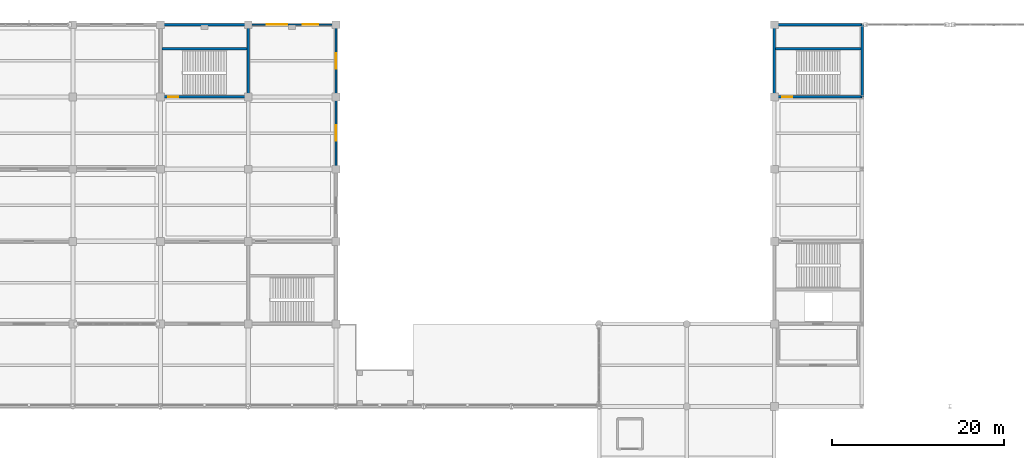
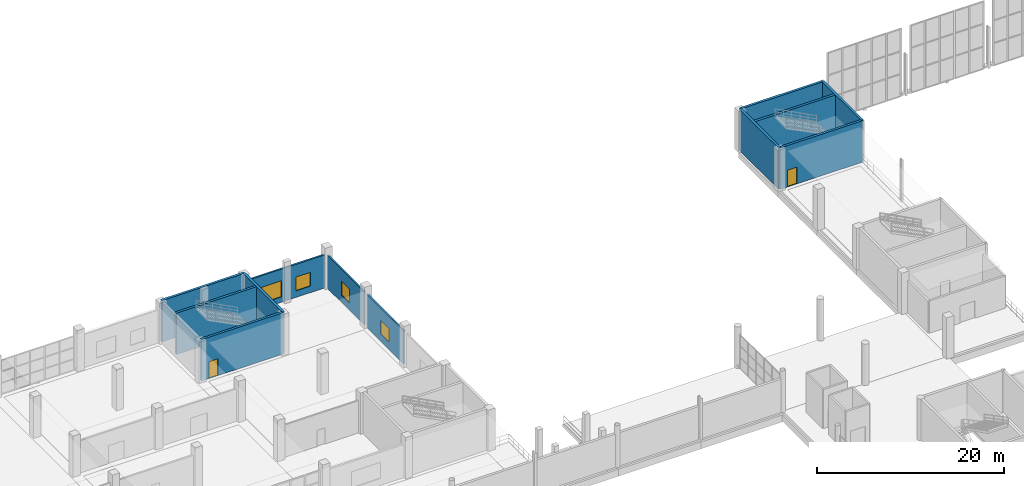
# One storey, part 138 of 175: 12 walls, 4 windows, 2 doors, 6 openings.
"""IFC4 building model written with IfcOpenShell, lengths in metres."""

from ifc_helpers import new_model, si_unit, direction, frame, frame_2d, origin, place, context, subcontext, project, spatial, rectangle, extrude, material, layer, layer_set, type_object, element, fill, save


model = new_model("IFC4")

# Units and contexts
model_context = context("Model", 3, precision=1e-05, world=origin(), true_north=direction((0.0, 1.0)))
body_context = subcontext(model_context, "Body", "Model", "MODEL_VIEW")
ifc_project = project(units=[si_unit("LENGTHUNIT", "METRE"), si_unit("AREAUNIT", "SQUARE_METRE"), si_unit("VOLUMEUNIT", "CUBIC_METRE"), si_unit("PLANEANGLEUNIT", "RADIAN"), si_unit("MASSUNIT", "GRAM", prefix="KILO")], contexts=[model_context])

# Site, building, storey
site_placement = place(None, origin())
site = spatial("IfcSite", under=ifc_project, at=site_placement, CompositionType="ELEMENT")
building_placement = place(site_placement, origin())
building = spatial("IfcBuilding", under=site, at=building_placement, Name="Brelvane Convention Centre", CompositionType="ELEMENT")
storey_placement = place(building_placement, frame((0.0, 0.0, 5.39990234375)))
storey = spatial("IfcBuildingStorey", under=building, at=storey_placement, Name="L01", CompositionType="ELEMENT", Elevation=5.39990234375)

# Wall, openings, windows
ifc_material_1 = material(Name="Insulated Autoclaved Aerated Concrete Block Grade 1", Category="concrete")
ifc_layer_1 = layer(ifc_material_1, 0.219970703125)
ifc_layer_set_1 = layer_set([ifc_layer_1], Name="Insulated Autoclaved Aerated Concrete Block Grade 1")
wall_type_1 = type_object("IfcWallType", Name="Exterior Wall EW-04", PredefinedType="STANDARD", material=ifc_layer_set_1)
wall_1_placement = place(storey_placement, frame((102.239990234375, 144.0, 0.0), z_axis=(0.0, 0.0, 1.0), x_axis=(1.0, 0.0, 0.0)))
wall_1 = element("IfcWall", 1, at=wall_1_placement, inside=storey, type_object=wall_type_1, Name="Exterior Wall L01 V4N-11", PredefinedType="STANDARD", context=body_context, shape_type="SweptSolid", body=[
    extrude(rectangle(XDim=9.719970703125, YDim=0.219970703125, at=frame_2d((4.85986328125, 0.0))), origin(), (0.0, 0.0, 1.0), 4.320068359375),
])
opening_1_placement = place(wall_1_placement, frame((1.909912109375, 0.0, 0.699951171875)))
opening_1 = element("IfcOpeningElement", 2, at=opening_1_placement, cuts=wall_1, Name="Opening WN-01", PredefinedType="OPENING", context=body_context, shape_type="SweptSolid", body=[
    extrude(rectangle(XDim=2.39990234375, YDim=2.10009765625, at=frame_2d((1.199951171875, 1.050048828125))), frame((0.0, 0.119873046875, 0.0), z_axis=(0.0, -1.0, 0.0), x_axis=(1.0, 0.0, 0.0)), (0.0, 0.0, 1.0), 0.239990234375),
])
opening_2_placement = place(wall_1_placement, frame((6.097900390625, 0.0, 0.85009765625)))
opening_2 = element("IfcOpeningElement", 3, at=opening_2_placement, cuts=wall_1, Name="Opening WN-04", PredefinedType="OPENING", context=body_context, shape_type="SweptSolid", body=[
    extrude(rectangle(XDim=1.800048828125, YDim=1.800048828125, at=frame_2d((0.89990234375, 0.89990234375))), frame((0.0, 0.119873046875, 0.0), z_axis=(0.0, -1.0, 0.0), x_axis=(1.0, 0.0, 0.0)), (0.0, 0.0, 1.0), 0.239990234375),
])
ifc_material_2 = material(Name="Double Glazed Low-E Laminated Unit")
window_type_1 = type_object("IfcWindowType", Name="Window WN-01", PartitioningType="DOUBLE_PANEL_VERTICAL", PredefinedType="WINDOW", material=ifc_material_2)
window_1_placement = place(opening_1_placement, origin())
window_1 = element("IfcWindow", 4, at=window_1_placement, inside=storey, type_object=window_type_1, Name="Facade Window L01-V4N-11-026", OverallHeight=2.10009765625, OverallWidth=2.39990234375, PartitioningType="DOUBLE_PANEL_VERTICAL", PredefinedType="WINDOW", context=body_context, shape_type="SweptSolid", body=[
    extrude(rectangle(XDim=2.39990234375, YDim=2.10009765625, at=frame_2d((1.199951171875, 1.050048828125))), frame((0.0, 0.030029296875, 0.0), z_axis=(0.0, -1.0, 0.0), x_axis=(1.0, 0.0, 0.0)), (0.0, 0.0, 1.0), 0.06005859375),
])
fill(opening_1, window_1)
ifc_material_3 = material(Name="Double Glazed Low-E Laminated Unit")
window_type_2 = type_object("IfcWindowType", Name="Window WN-04", PartitioningType="DOUBLE_PANEL_VERTICAL", PredefinedType="WINDOW", material=ifc_material_3)
window_2_placement = place(opening_2_placement, origin())
window_2 = element("IfcWindow", 5, at=window_2_placement, inside=storey, type_object=window_type_2, Name="Facade Window L01-V4N-11-027", OverallHeight=1.800048828125, OverallWidth=1.800048828125, PartitioningType="DOUBLE_PANEL_VERTICAL", PredefinedType="WINDOW", context=body_context, shape_type="SweptSolid", body=[
    extrude(rectangle(XDim=1.800048828125, YDim=1.800048828125, at=frame_2d((0.89990234375, 0.89990234375))), frame((0.0, 0.030029296875, 0.0), z_axis=(0.0, -1.0, 0.0), x_axis=(1.0, 0.0, 0.0)), (0.0, 0.0, 1.0), 0.06005859375),
])
fill(opening_2, window_2)

# Wall, opening, window
ifc_material_4 = material(Name="Insulated Autoclaved Aerated Concrete Block Grade 1", Category="concrete")
ifc_layer_2 = layer(ifc_material_4, 0.205078125)
ifc_layer_set_2 = layer_set([ifc_layer_2], Name="Insulated Autoclaved Aerated Concrete Block Grade 1")
wall_type_2 = type_object("IfcWallType", Name="Exterior Wall EW-05", PredefinedType="STANDARD", material=ifc_layer_set_2)
wall_2_placement = place(storey_placement, frame((112.199951171875, 127.43994140625, 0.0), z_axis=(0.0, 0.0, 1.0), x_axis=(0.0, 1.0, 0.0)))
wall_2 = element("IfcWall", 6, at=wall_2_placement, inside=storey, type_object=wall_type_2, Name="Exterior Wall L01 V4E-3", PredefinedType="STANDARD", context=body_context, shape_type="SweptSolid", body=[
    extrude(rectangle(XDim=7.920166015625, YDim=0.205078125, at=frame_2d((3.9599609375, 0.0))), origin(), (0.0, 0.0, 1.0), 4.320068359375),
])
opening_3_placement = place(wall_2_placement, frame((3.06005859375, 0.0, 0.949951171875)))
opening_3 = element("IfcOpeningElement", 7, at=opening_3_placement, cuts=wall_2, Name="Opening WN-04", PredefinedType="OPENING", context=body_context, shape_type="SweptSolid", body=[
    extrude(rectangle(XDim=1.800048828125, YDim=1.800048828125, at=frame_2d((0.89990234375, 0.89990234375))), frame((0.0, 0.112548828125, 0.0), z_axis=(0.0, -1.0, 0.0), x_axis=(1.0, 0.0, 0.0)), (0.0, 0.0, 1.0), 0.22509765625),
])
window_3_placement = place(opening_3_placement, origin())
window_3 = element("IfcWindow", 8, at=window_3_placement, inside=storey, type_object=window_type_2, Name="Facade Window L01-V4E-3-029", OverallHeight=1.800048828125, OverallWidth=1.800048828125, PartitioningType="DOUBLE_PANEL_VERTICAL", PredefinedType="WINDOW", context=body_context, shape_type="SweptSolid", body=[
    extrude(rectangle(XDim=1.800048828125, YDim=1.800048828125, at=frame_2d((0.89990234375, 0.89990234375))), frame((0.0, 0.030029296875, 0.0), z_axis=(0.0, -1.0, 0.0), x_axis=(1.0, 0.0, 0.0)), (0.0, 0.0, 1.0), 0.06005859375),
])
fill(opening_3, window_3)

wall_3_placement = place(storey_placement, frame((112.199951171875, 135.840087890625, 0.0), z_axis=(0.0, 0.0, 1.0), x_axis=(0.0, 1.0, 0.0)))
wall_3 = element("IfcWall", 9, at=wall_3_placement, inside=storey, type_object=wall_type_2, Name="Exterior Wall L01 V4E-4", PredefinedType="STANDARD", context=body_context, shape_type="SweptSolid", body=[
    extrude(rectangle(XDim=7.919921875, YDim=0.205078125, at=frame_2d((3.9599609375, 0.0))), origin(), (0.0, 0.0, 1.0), 4.320068359375),
])
opening_4_placement = place(wall_3_placement, frame((3.06005859375, 0.0, 0.949951171875)))
opening_4 = element("IfcOpeningElement", 10, at=opening_4_placement, cuts=wall_3, Name="Opening WN-04", PredefinedType="OPENING", context=body_context, shape_type="SweptSolid", body=[
    extrude(rectangle(XDim=1.800048828125, YDim=1.800048828125, at=frame_2d((0.89990234375, 0.89990234375))), frame((0.0, 0.112548828125, 0.0), z_axis=(0.0, -1.0, 0.0), x_axis=(1.0, 0.0, 0.0)), (0.0, 0.0, 1.0), 0.22509765625),
])
window_4_placement = place(opening_4_placement, origin())
window_4 = element("IfcWindow", 11, at=window_4_placement, inside=storey, type_object=window_type_2, Name="Facade Window L01-V4E-4-030", OverallHeight=1.800048828125, OverallWidth=1.800048828125, PartitioningType="DOUBLE_PANEL_VERTICAL", PredefinedType="WINDOW", context=body_context, shape_type="SweptSolid", body=[
    extrude(rectangle(XDim=1.800048828125, YDim=1.800048828125, at=frame_2d((0.89990234375, 0.89990234375))), frame((0.0, 0.030029296875, 0.0), z_axis=(0.0, -1.0, 0.0), x_axis=(1.0, 0.0, 0.0)), (0.0, 0.0, 1.0), 0.06005859375),
])
fill(opening_4, window_4)

# Wall, opening, door
ifc_material_5 = material(Name="Concrete M50", Category="concrete")
ifc_layer_3 = layer(ifc_material_5, 0.300048828125)
ifc_layer_set_3 = layer_set([ifc_layer_3], Name="Concrete M50")
wall_type_3 = type_object("IfcWallType", Name="Structural Wall WL-CORE-300", PredefinedType="SHEAR", material=ifc_layer_set_3)
wall_4_placement = place(storey_placement, frame((163.199951171875, 135.60009765625, 0.0), z_axis=(0.0, 0.0, 1.0), x_axis=(1.0, 0.0, 0.0)))
wall_4 = element("IfcWall", 12, at=wall_4_placement, inside=storey, type_object=wall_type_3, Name="Stair Core ST-11 Wall S (L01)", PredefinedType="SHEAR", context=body_context, shape_type="SweptSolid", body=[
    extrude(rectangle(XDim=10.199951171875, YDim=0.300048828125, at=frame_2d((5.10009765625, 0.0))), origin(), (0.0, 0.0, 1.0), 5.400146484375),
])
opening_5_placement = place(wall_4_placement, frame((0.919921875, 0.0, 0.0)))
opening_5 = element("IfcOpeningElement", 13, at=opening_5_placement, cuts=wall_4, Name="Opening DR-IN-04L", PredefinedType="OPENING", context=body_context, shape_type="SweptSolid", body=[
    extrude(rectangle(XDim=1.159912109375, YDim=2.199951171875, at=frame_2d((0.580078125, 1.10009765625))), frame((0.0, 0.159912109375, 0.0), z_axis=(0.0, -1.0, 0.0), x_axis=(1.0, 0.0, 0.0)), (0.0, 0.0, 1.0), 0.320068359375),
])
ifc_material_6 = material(Name="Galvanised Hollow-Metal Fire Door Steel E250", Category="steel")
door_type = type_object("IfcDoorType", Name="Interior Door DR-IN-04L", OperationType="NOTDEFINED", PredefinedType="DOOR", material=ifc_material_6)
door_1_placement = place(opening_5_placement, origin())
door_1 = element("IfcDoor", 14, at=door_1_placement, inside=storey, type_object=door_type, Name="Stair ST-11 Entry Door (L01)", OperationType="SINGLE_SWING_LEFT", OverallHeight=2.199951171875, OverallWidth=1.159912109375, PredefinedType="DOOR", context=body_context, shape_type="SweptSolid", body=[
    extrude(rectangle(XDim=1.159912109375, YDim=2.199951171875, at=frame_2d((0.580078125, 1.10009765625))), frame((0.0, 0.02490234375, 0.0), z_axis=(0.0, -1.0, 0.0), x_axis=(1.0, 0.0, 0.0)), (0.0, 0.0, 1.0), 0.050048828125),
])
fill(opening_5, door_1)

# Walls
wall_5_placement = place(storey_placement, frame((163.199951171875, 144.0, 0.0), z_axis=(0.0, 0.0, 1.0), x_axis=(1.0, 0.0, 0.0)))
element("IfcWall", 15, at=wall_5_placement, inside=storey, type_object=wall_type_3, Name="Stair Core ST-11 Wall N (L01)", PredefinedType="SHEAR", context=body_context, shape_type="SweptSolid", body=[
    extrude(rectangle(XDim=10.199951171875, YDim=0.300048828125, at=frame_2d((5.10009765625, 0.0))), origin(), (0.0, 0.0, 1.0), 5.400146484375),
])
for number, where, z_axis, x_axis, name in (
    (16, (163.199951171875, 135.60009765625, 0.0), (0.0, 0.0, 1.0), (0.0, 1.0, 0.0), "Stair Core ST-11 Wall W (L01)"),
    (17, (173.39990234375, 135.60009765625, 0.0), (0.0, 0.0, 1.0), (0.0, 1.0, 0.0), "Stair Core ST-11 Wall E (L01)"),
):
    element("IfcWall", number, at=place(storey_placement, frame(where, z_axis=z_axis, x_axis=x_axis)), inside=storey, type_object=wall_type_3, Name=name, PredefinedType="SHEAR", context=body_context, shape_type="SweptSolid", body=[
        extrude(rectangle(XDim=8.39990234375, YDim=0.300048828125, at=frame_2d((4.199951171875, 0.0))), origin(), (0.0, 0.0, 1.0), 5.400146484375),
    ])
wall_6_placement = place(storey_placement, frame((163.35009765625, 141.199951171875, 0.0), z_axis=(0.0, 0.0, 1.0), x_axis=(1.0, 0.0, 0.0)))
element("IfcWall", 18, at=wall_6_placement, inside=storey, type_object=wall_type_3, Name="Stair Core ST-11 Well Wall (L01)", PredefinedType="SHEAR", context=body_context, shape_type="SweptSolid", body=[
    extrude(rectangle(XDim=9.89990234375, YDim=0.300048828125, at=frame_2d((4.949951171875, 0.0))), origin(), (0.0, 0.0, 1.0), 5.400146484375),
])

# Wall, opening, door
wall_7_placement = place(storey_placement, frame((91.800048828125, 135.60009765625, 0.0), z_axis=(0.0, 0.0, 1.0), x_axis=(1.0, 0.0, 0.0)))
wall_7 = element("IfcWall", 19, at=wall_7_placement, inside=storey, type_object=wall_type_3, Name="Stair Core ST-12 Wall S (L01)", PredefinedType="SHEAR", context=body_context, shape_type="SweptSolid", body=[
    extrude(rectangle(XDim=10.199951171875, YDim=0.300048828125, at=frame_2d((5.10009765625, 0.0))), origin(), (0.0, 0.0, 1.0), 5.400146484375),
])
opening_6_placement = place(wall_7_placement, frame((0.919921875, 0.0, 0.0)))
opening_6 = element("IfcOpeningElement", 20, at=opening_6_placement, cuts=wall_7, Name="Opening DR-IN-04L", PredefinedType="OPENING", context=body_context, shape_type="SweptSolid", body=[
    extrude(rectangle(XDim=1.159912109375, YDim=2.199951171875, at=frame_2d((0.580078125, 1.10009765625))), frame((0.0, 0.159912109375, 0.0), z_axis=(0.0, -1.0, 0.0), x_axis=(1.0, 0.0, 0.0)), (0.0, 0.0, 1.0), 0.320068359375),
])
door_2_placement = place(opening_6_placement, origin())
door_2 = element("IfcDoor", 21, at=door_2_placement, inside=storey, type_object=door_type, Name="Stair ST-12 Entry Door (L01)", OperationType="SINGLE_SWING_LEFT", OverallHeight=2.199951171875, OverallWidth=1.159912109375, PredefinedType="DOOR", context=body_context, shape_type="SweptSolid", body=[
    extrude(rectangle(XDim=1.159912109375, YDim=2.199951171875, at=frame_2d((0.580078125, 1.10009765625))), frame((0.0, 0.02490234375, 0.0), z_axis=(0.0, -1.0, 0.0), x_axis=(1.0, 0.0, 0.0)), (0.0, 0.0, 1.0), 0.050048828125),
])
fill(opening_6, door_2)

# Walls
wall_8_placement = place(storey_placement, frame((91.800048828125, 144.0, 0.0), z_axis=(0.0, 0.0, 1.0), x_axis=(1.0, 0.0, 0.0)))
element("IfcWall", 22, at=wall_8_placement, inside=storey, type_object=wall_type_3, Name="Stair Core ST-12 Wall N (L01)", PredefinedType="SHEAR", context=body_context, shape_type="SweptSolid", body=[
    extrude(rectangle(XDim=10.199951171875, YDim=0.300048828125, at=frame_2d((5.10009765625, 0.0))), origin(), (0.0, 0.0, 1.0), 5.400146484375),
])
wall_9_placement = place(storey_placement, frame((102.0, 135.60009765625, 0.0), z_axis=(0.0, 0.0, 1.0), x_axis=(0.0, 1.0, 0.0)))
element("IfcWall", 23, at=wall_9_placement, inside=storey, type_object=wall_type_3, Name="Stair Core ST-12 Wall E (L01)", PredefinedType="SHEAR", context=body_context, shape_type="SweptSolid", body=[
    extrude(rectangle(XDim=8.39990234375, YDim=0.300048828125, at=frame_2d((4.199951171875, 0.0))), origin(), (0.0, 0.0, 1.0), 5.400146484375),
])
wall_10_placement = place(storey_placement, frame((91.949951171875, 141.199951171875, 0.0), z_axis=(0.0, 0.0, 1.0), x_axis=(1.0, 0.0, 0.0)))
element("IfcWall", 24, at=wall_10_placement, inside=storey, type_object=wall_type_3, Name="Stair Core ST-12 Well Wall (L01)", PredefinedType="SHEAR", context=body_context, shape_type="SweptSolid", body=[
    extrude(rectangle(XDim=9.900146484375, YDim=0.300048828125, at=frame_2d((4.9501953125, 0.0))), origin(), (0.0, 0.0, 1.0), 5.400146484375),
])

save(model, "model.ifc")
